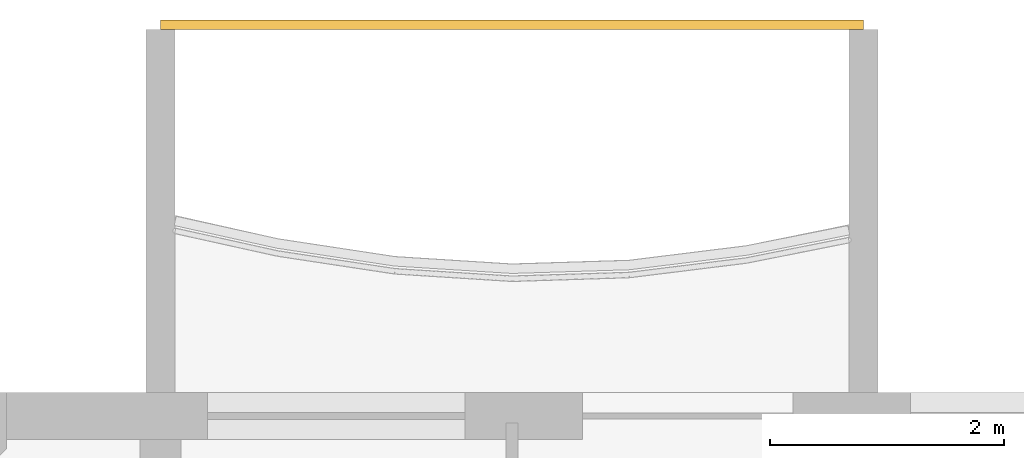
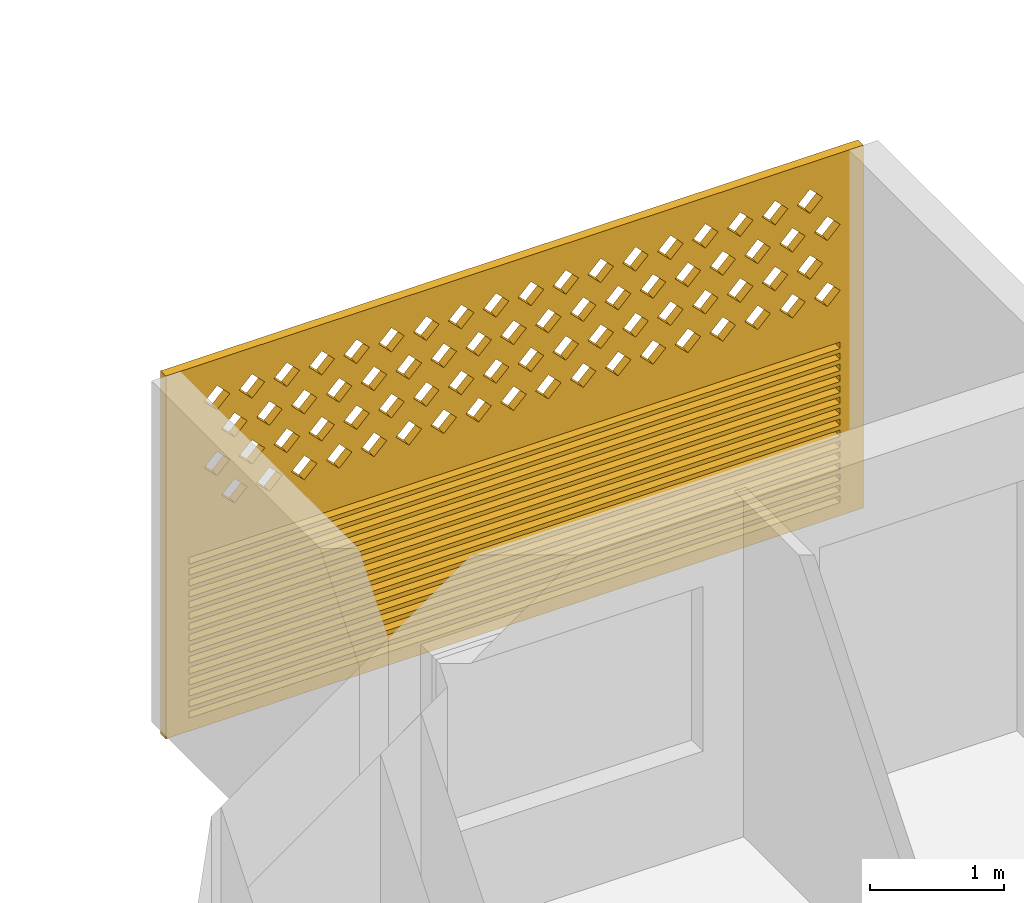
# One storey, part 19 of 26: 1 covering.
"""IFC4 building model written with IfcOpenShell, lengths in metres."""

from ifc_helpers import new_model, si_unit, direction, frame, origin, place, context, subcontext, project, spatial, polyline, outline, extrude, source, transform, mapped, material, material_profile, profile_set, type_object, element, save


model = new_model("IFC4")

# Units and contexts
model_context = context("Model", 3, precision=1e-05, world=origin(), true_north=direction((0.0, 1.0)))
body_context = subcontext(model_context, "Body", "Model", "MODEL_VIEW")
ifc_project = project(units=[si_unit("LENGTHUNIT", "METRE"), si_unit("AREAUNIT", "SQUARE_METRE"), si_unit("VOLUMEUNIT", "CUBIC_METRE"), si_unit("PLANEANGLEUNIT", "RADIAN"), si_unit("MASSUNIT", "GRAM", prefix="KILO")], contexts=[model_context])

# Site, building, storey
site_placement = place(None, origin())
site = spatial("IfcSite", under=ifc_project, at=site_placement, CompositionType="ELEMENT")
building_placement = place(site_placement, origin())
building = spatial("IfcBuilding", under=site, at=building_placement, Name="Poui Terraces", CompositionType="ELEMENT")
storey_placement = place(building_placement, frame((0.0, 0.0, 96.0)))
storey = spatial("IfcBuildingStorey", under=building, at=storey_placement, Name="L26", CompositionType="ELEMENT", Elevation=96.0)

# Covering
ifc_material = material(Name="Terracotta screen", Category="masonry")
ifc_material_profile = material_profile(ifc_material, outline(polyline([(-3.0, -1.64990234375), (3.0, -1.64990234375), (3.0, 1.64990234375), (-3.0, 1.64990234375), (-3.0, -1.64990234375)]), holes=[polyline([(-2.800048828125, 0.39990234375), (-2.68994140625, 0.2900390625), (-2.580078125, 0.39990234375), (-2.68994140625, 0.510009765625), (-2.800048828125, 0.39990234375)]), polyline([(-2.5, 0.39990234375), (-2.389892578125, 0.2900390625), (-2.280029296875, 0.39990234375), (-2.389892578125, 0.510009765625), (-2.5, 0.39990234375)]), polyline([(-2.199951171875, 0.39990234375), (-2.090087890625, 0.2900390625), (-1.97998046875, 0.39990234375), (-2.090087890625, 0.510009765625), (-2.199951171875, 0.39990234375)]), polyline([(-1.89990234375, 0.39990234375), (-1.7900390625, 0.2900390625), (-1.679931640625, 0.39990234375), (-1.7900390625, 0.510009765625), (-1.89990234375, 0.39990234375)]), polyline([(-1.60009765625, 0.39990234375), (-1.489990234375, 0.2900390625), (-1.3798828125, 0.39990234375), (-1.489990234375, 0.510009765625), (-1.60009765625, 0.39990234375)]), polyline([(-1.300048828125, 0.39990234375), (-1.18994140625, 0.2900390625), (-1.080078125, 0.39990234375), (-1.18994140625, 0.510009765625), (-1.300048828125, 0.39990234375)]), polyline([(-1.0, 0.39990234375), (-0.889892578125, 0.2900390625), (-0.780029296875, 0.39990234375), (-0.889892578125, 0.510009765625), (-1.0, 0.39990234375)]), polyline([(-0.699951171875, 0.39990234375), (-0.590087890625, 0.2900390625), (-0.47998046875, 0.39990234375), (-0.590087890625, 0.510009765625), (-0.699951171875, 0.39990234375)]), polyline([(-0.39990234375, 0.39990234375), (-0.2900390625, 0.2900390625), (-0.179931640625, 0.39990234375), (-0.2900390625, 0.510009765625), (-0.39990234375, 0.39990234375)]), polyline([(-0.10009765625, 0.39990234375), (0.010009765625, 0.2900390625), (0.1201171875, 0.39990234375), (0.010009765625, 0.510009765625), (-0.10009765625, 0.39990234375)]), polyline([(0.199951171875, 0.39990234375), (0.31005859375, 0.2900390625), (0.419921875, 0.39990234375), (0.31005859375, 0.510009765625), (0.199951171875, 0.39990234375)]), polyline([(0.5, 0.39990234375), (0.610107421875, 0.2900390625), (0.719970703125, 0.39990234375), (0.610107421875, 0.510009765625), (0.5, 0.39990234375)]), polyline([(0.800048828125, 0.39990234375), (0.909912109375, 0.2900390625), (1.02001953125, 0.39990234375), (0.909912109375, 0.510009765625), (0.800048828125, 0.39990234375)]), polyline([(1.10009765625, 0.39990234375), (1.2099609375, 0.2900390625), (1.320068359375, 0.39990234375), (1.2099609375, 0.510009765625), (1.10009765625, 0.39990234375)]), polyline([(1.39990234375, 0.39990234375), (1.510009765625, 0.2900390625), (1.6201171875, 0.39990234375), (1.510009765625, 0.510009765625), (1.39990234375, 0.39990234375)]), polyline([(1.699951171875, 0.39990234375), (1.81005859375, 0.2900390625), (1.919921875, 0.39990234375), (1.81005859375, 0.510009765625), (1.699951171875, 0.39990234375)]), polyline([(2.0, 0.39990234375), (2.110107421875, 0.2900390625), (2.219970703125, 0.39990234375), (2.110107421875, 0.510009765625), (2.0, 0.39990234375)]), polyline([(2.300048828125, 0.39990234375), (2.409912109375, 0.2900390625), (2.52001953125, 0.39990234375), (2.409912109375, 0.510009765625), (2.300048828125, 0.39990234375)]), polyline([(-2.64990234375, 0.699951171875), (-2.5400390625, 0.590087890625), (-2.429931640625, 0.699951171875), (-2.5400390625, 0.81005859375), (-2.64990234375, 0.699951171875)]), polyline([(-2.35009765625, 0.699951171875), (-2.239990234375, 0.590087890625), (-2.1298828125, 0.699951171875), (-2.239990234375, 0.81005859375), (-2.35009765625, 0.699951171875)]), polyline([(-2.050048828125, 0.699951171875), (-1.93994140625, 0.590087890625), (-1.830078125, 0.699951171875), (-1.93994140625, 0.81005859375), (-2.050048828125, 0.699951171875)]), polyline([(-1.75, 0.699951171875), (-1.639892578125, 0.590087890625), (-1.530029296875, 0.699951171875), (-1.639892578125, 0.81005859375), (-1.75, 0.699951171875)]), polyline([(-1.449951171875, 0.699951171875), (-1.340087890625, 0.590087890625), (-1.22998046875, 0.699951171875), (-1.340087890625, 0.81005859375), (-1.449951171875, 0.699951171875)]), polyline([(-1.14990234375, 0.699951171875), (-1.0400390625, 0.590087890625), (-0.929931640625, 0.699951171875), (-1.0400390625, 0.81005859375), (-1.14990234375, 0.699951171875)]), polyline([(-0.85009765625, 0.699951171875), (-0.739990234375, 0.590087890625), (-0.6298828125, 0.699951171875), (-0.739990234375, 0.81005859375), (-0.85009765625, 0.699951171875)]), polyline([(-0.550048828125, 0.699951171875), (-0.43994140625, 0.590087890625), (-0.330078125, 0.699951171875), (-0.43994140625, 0.81005859375), (-0.550048828125, 0.699951171875)]), polyline([(-0.25, 0.699951171875), (-0.139892578125, 0.590087890625), (-0.030029296875, 0.699951171875), (-0.139892578125, 0.81005859375), (-0.25, 0.699951171875)]), polyline([(0.050048828125, 0.699951171875), (0.159912109375, 0.590087890625), (0.27001953125, 0.699951171875), (0.159912109375, 0.81005859375), (0.050048828125, 0.699951171875)]), polyline([(0.35009765625, 0.699951171875), (0.4599609375, 0.590087890625), (0.570068359375, 0.699951171875), (0.4599609375, 0.81005859375), (0.35009765625, 0.699951171875)]), polyline([(0.64990234375, 0.699951171875), (0.760009765625, 0.590087890625), (0.8701171875, 0.699951171875), (0.760009765625, 0.81005859375), (0.64990234375, 0.699951171875)]), polyline([(0.949951171875, 0.699951171875), (1.06005859375, 0.590087890625), (1.169921875, 0.699951171875), (1.06005859375, 0.81005859375), (0.949951171875, 0.699951171875)]), polyline([(1.25, 0.699951171875), (1.360107421875, 0.590087890625), (1.469970703125, 0.699951171875), (1.360107421875, 0.81005859375), (1.25, 0.699951171875)]), polyline([(1.550048828125, 0.699951171875), (1.659912109375, 0.590087890625), (1.77001953125, 0.699951171875), (1.659912109375, 0.81005859375), (1.550048828125, 0.699951171875)]), polyline([(1.85009765625, 0.699951171875), (1.9599609375, 0.590087890625), (2.070068359375, 0.699951171875), (1.9599609375, 0.81005859375), (1.85009765625, 0.699951171875)]), polyline([(2.14990234375, 0.699951171875), (2.260009765625, 0.590087890625), (2.3701171875, 0.699951171875), (2.260009765625, 0.81005859375), (2.14990234375, 0.699951171875)]), polyline([(2.449951171875, 0.699951171875), (2.56005859375, 0.590087890625), (2.669921875, 0.699951171875), (2.56005859375, 0.81005859375), (2.449951171875, 0.699951171875)]), polyline([(-2.800048828125, 1.0), (-2.68994140625, 0.889892578125), (-2.580078125, 1.0), (-2.68994140625, 1.110107421875), (-2.800048828125, 1.0)]), polyline([(-2.5, 1.0), (-2.389892578125, 0.889892578125), (-2.280029296875, 1.0), (-2.389892578125, 1.110107421875), (-2.5, 1.0)]), polyline([(-2.199951171875, 1.0), (-2.090087890625, 0.889892578125), (-1.97998046875, 1.0), (-2.090087890625, 1.110107421875), (-2.199951171875, 1.0)]), polyline([(-1.89990234375, 1.0), (-1.7900390625, 0.889892578125), (-1.679931640625, 1.0), (-1.7900390625, 1.110107421875), (-1.89990234375, 1.0)]), polyline([(-1.60009765625, 1.0), (-1.489990234375, 0.889892578125), (-1.3798828125, 1.0), (-1.489990234375, 1.110107421875), (-1.60009765625, 1.0)]), polyline([(-1.300048828125, 1.0), (-1.18994140625, 0.889892578125), (-1.080078125, 1.0), (-1.18994140625, 1.110107421875), (-1.300048828125, 1.0)]), polyline([(-1.0, 1.0), (-0.889892578125, 0.889892578125), (-0.780029296875, 1.0), (-0.889892578125, 1.110107421875), (-1.0, 1.0)]), polyline([(-0.699951171875, 1.0), (-0.590087890625, 0.889892578125), (-0.47998046875, 1.0), (-0.590087890625, 1.110107421875), (-0.699951171875, 1.0)]), polyline([(-0.39990234375, 1.0), (-0.2900390625, 0.889892578125), (-0.179931640625, 1.0), (-0.2900390625, 1.110107421875), (-0.39990234375, 1.0)]), polyline([(-0.10009765625, 1.0), (0.010009765625, 0.889892578125), (0.1201171875, 1.0), (0.010009765625, 1.110107421875), (-0.10009765625, 1.0)]), polyline([(0.199951171875, 1.0), (0.31005859375, 0.889892578125), (0.419921875, 1.0), (0.31005859375, 1.110107421875), (0.199951171875, 1.0)]), polyline([(0.5, 1.0), (0.610107421875, 0.889892578125), (0.719970703125, 1.0), (0.610107421875, 1.110107421875), (0.5, 1.0)]), polyline([(0.800048828125, 1.0), (0.909912109375, 0.889892578125), (1.02001953125, 1.0), (0.909912109375, 1.110107421875), (0.800048828125, 1.0)]), polyline([(1.10009765625, 1.0), (1.2099609375, 0.889892578125), (1.320068359375, 1.0), (1.2099609375, 1.110107421875), (1.10009765625, 1.0)]), polyline([(1.39990234375, 1.0), (1.510009765625, 0.889892578125), (1.6201171875, 1.0), (1.510009765625, 1.110107421875), (1.39990234375, 1.0)]), polyline([(1.699951171875, 1.0), (1.81005859375, 0.889892578125), (1.919921875, 1.0), (1.81005859375, 1.110107421875), (1.699951171875, 1.0)]), polyline([(2.0, 1.0), (2.110107421875, 0.889892578125), (2.219970703125, 1.0), (2.110107421875, 1.110107421875), (2.0, 1.0)]), polyline([(2.300048828125, 1.0), (2.409912109375, 0.889892578125), (2.52001953125, 1.0), (2.409912109375, 1.110107421875), (2.300048828125, 1.0)]), polyline([(-2.64990234375, 1.300048828125), (-2.5400390625, 1.18994140625), (-2.429931640625, 1.300048828125), (-2.5400390625, 1.409912109375), (-2.64990234375, 1.300048828125)]), polyline([(-2.35009765625, 1.300048828125), (-2.239990234375, 1.18994140625), (-2.1298828125, 1.300048828125), (-2.239990234375, 1.409912109375), (-2.35009765625, 1.300048828125)]), polyline([(-2.050048828125, 1.300048828125), (-1.93994140625, 1.18994140625), (-1.830078125, 1.300048828125), (-1.93994140625, 1.409912109375), (-2.050048828125, 1.300048828125)]), polyline([(-1.75, 1.300048828125), (-1.639892578125, 1.18994140625), (-1.530029296875, 1.300048828125), (-1.639892578125, 1.409912109375), (-1.75, 1.300048828125)]), polyline([(-1.449951171875, 1.300048828125), (-1.340087890625, 1.18994140625), (-1.22998046875, 1.300048828125), (-1.340087890625, 1.409912109375), (-1.449951171875, 1.300048828125)]), polyline([(-1.14990234375, 1.300048828125), (-1.0400390625, 1.18994140625), (-0.929931640625, 1.300048828125), (-1.0400390625, 1.409912109375), (-1.14990234375, 1.300048828125)]), polyline([(-0.85009765625, 1.300048828125), (-0.739990234375, 1.18994140625), (-0.6298828125, 1.300048828125), (-0.739990234375, 1.409912109375), (-0.85009765625, 1.300048828125)]), polyline([(-0.550048828125, 1.300048828125), (-0.43994140625, 1.18994140625), (-0.330078125, 1.300048828125), (-0.43994140625, 1.409912109375), (-0.550048828125, 1.300048828125)]), polyline([(-0.25, 1.300048828125), (-0.139892578125, 1.18994140625), (-0.030029296875, 1.300048828125), (-0.139892578125, 1.409912109375), (-0.25, 1.300048828125)]), polyline([(0.050048828125, 1.300048828125), (0.159912109375, 1.18994140625), (0.27001953125, 1.300048828125), (0.159912109375, 1.409912109375), (0.050048828125, 1.300048828125)]), polyline([(0.35009765625, 1.300048828125), (0.4599609375, 1.18994140625), (0.570068359375, 1.300048828125), (0.4599609375, 1.409912109375), (0.35009765625, 1.300048828125)]), polyline([(0.64990234375, 1.300048828125), (0.760009765625, 1.18994140625), (0.8701171875, 1.300048828125), (0.760009765625, 1.409912109375), (0.64990234375, 1.300048828125)]), polyline([(0.949951171875, 1.300048828125), (1.06005859375, 1.18994140625), (1.169921875, 1.300048828125), (1.06005859375, 1.409912109375), (0.949951171875, 1.300048828125)]), polyline([(1.25, 1.300048828125), (1.360107421875, 1.18994140625), (1.469970703125, 1.300048828125), (1.360107421875, 1.409912109375), (1.25, 1.300048828125)]), polyline([(1.550048828125, 1.300048828125), (1.659912109375, 1.18994140625), (1.77001953125, 1.300048828125), (1.659912109375, 1.409912109375), (1.550048828125, 1.300048828125)]), polyline([(1.85009765625, 1.300048828125), (1.9599609375, 1.18994140625), (2.070068359375, 1.300048828125), (1.9599609375, 1.409912109375), (1.85009765625, 1.300048828125)]), polyline([(2.14990234375, 1.300048828125), (2.260009765625, 1.18994140625), (2.3701171875, 1.300048828125), (2.260009765625, 1.409912109375), (2.14990234375, 1.300048828125)]), polyline([(2.449951171875, 1.300048828125), (2.56005859375, 1.18994140625), (2.669921875, 1.300048828125), (2.56005859375, 1.409912109375), (2.449951171875, 1.300048828125)]), polyline([(-2.800048828125, -1.530029296875), (2.800048828125, -1.530029296875), (2.800048828125, -1.469970703125), (-2.800048828125, -1.469970703125), (-2.800048828125, -1.530029296875)]), polyline([(-2.800048828125, -1.429931640625), (2.800048828125, -1.429931640625), (2.800048828125, -1.3701171875), (-2.800048828125, -1.3701171875), (-2.800048828125, -1.429931640625)]), polyline([(-2.800048828125, -1.330078125), (2.800048828125, -1.330078125), (2.800048828125, -1.27001953125), (-2.800048828125, -1.27001953125), (-2.800048828125, -1.330078125)]), polyline([(-2.800048828125, -1.22998046875), (2.800048828125, -1.22998046875), (2.800048828125, -1.169921875), (-2.800048828125, -1.169921875), (-2.800048828125, -1.22998046875)]), polyline([(-2.800048828125, -1.1298828125), (2.800048828125, -1.1298828125), (2.800048828125, -1.070068359375), (-2.800048828125, -1.070068359375), (-2.800048828125, -1.1298828125)]), polyline([(-2.800048828125, -1.030029296875), (2.800048828125, -1.030029296875), (2.800048828125, -0.969970703125), (-2.800048828125, -0.969970703125), (-2.800048828125, -1.030029296875)]), polyline([(-2.800048828125, -0.929931640625), (2.800048828125, -0.929931640625), (2.800048828125, -0.8701171875), (-2.800048828125, -0.8701171875), (-2.800048828125, -0.929931640625)]), polyline([(-2.800048828125, -0.830078125), (2.800048828125, -0.830078125), (2.800048828125, -0.77001953125), (-2.800048828125, -0.77001953125), (-2.800048828125, -0.830078125)]), polyline([(-2.800048828125, -0.72998046875), (2.800048828125, -0.72998046875), (2.800048828125, -0.669921875), (-2.800048828125, -0.669921875), (-2.800048828125, -0.72998046875)]), polyline([(-2.800048828125, -0.6298828125), (2.800048828125, -0.6298828125), (2.800048828125, -0.570068359375), (-2.800048828125, -0.570068359375), (-2.800048828125, -0.6298828125)]), polyline([(-2.800048828125, -0.530029296875), (2.800048828125, -0.530029296875), (2.800048828125, -0.469970703125), (-2.800048828125, -0.469970703125), (-2.800048828125, -0.530029296875)]), polyline([(-2.800048828125, -0.429931640625), (2.800048828125, -0.429931640625), (2.800048828125, -0.3701171875), (-2.800048828125, -0.3701171875), (-2.800048828125, -0.429931640625)]), polyline([(-2.800048828125, -0.330078125), (2.800048828125, -0.330078125), (2.800048828125, -0.27001953125), (-2.800048828125, -0.27001953125), (-2.800048828125, -0.330078125)]), polyline([(-2.800048828125, -0.22998046875), (2.800048828125, -0.22998046875), (2.800048828125, -0.169921875), (-2.800048828125, -0.169921875), (-2.800048828125, -0.22998046875)]), polyline([(-2.800048828125, -0.1298828125), (2.800048828125, -0.1298828125), (2.800048828125, -0.070068359375), (-2.800048828125, -0.070068359375), (-2.800048828125, -0.1298828125)])]), Name="TERRACOTTA SCREEN AND JALOUSIE LOUVRE 6000X3300")
ifc_profile_set = profile_set([ifc_material_profile], Name="Terracotta screen")
covering_type = type_object("IfcCoveringType", Name="TERRACOTTA SCREEN AND JALOUSIE LOUVRE 6000X3300", PredefinedType="CLADDING", material=ifc_profile_set)
shared_shape = source(origin(), body_context, "Body", "SweptSolid", [
    extrude(outline(polyline([(-3.0, -1.64990234375), (3.0, -1.64990234375), (3.0, 1.64990234375), (-3.0, 1.64990234375), (-3.0, -1.64990234375)]), holes=[polyline([(-2.800048828125, 0.39990234375), (-2.68994140625, 0.2900390625), (-2.580078125, 0.39990234375), (-2.68994140625, 0.510009765625), (-2.800048828125, 0.39990234375)]), polyline([(-2.5, 0.39990234375), (-2.389892578125, 0.2900390625), (-2.280029296875, 0.39990234375), (-2.389892578125, 0.510009765625), (-2.5, 0.39990234375)]), polyline([(-2.199951171875, 0.39990234375), (-2.090087890625, 0.2900390625), (-1.97998046875, 0.39990234375), (-2.090087890625, 0.510009765625), (-2.199951171875, 0.39990234375)]), polyline([(-1.89990234375, 0.39990234375), (-1.7900390625, 0.2900390625), (-1.679931640625, 0.39990234375), (-1.7900390625, 0.510009765625), (-1.89990234375, 0.39990234375)]), polyline([(-1.60009765625, 0.39990234375), (-1.489990234375, 0.2900390625), (-1.3798828125, 0.39990234375), (-1.489990234375, 0.510009765625), (-1.60009765625, 0.39990234375)]), polyline([(-1.300048828125, 0.39990234375), (-1.18994140625, 0.2900390625), (-1.080078125, 0.39990234375), (-1.18994140625, 0.510009765625), (-1.300048828125, 0.39990234375)]), polyline([(-1.0, 0.39990234375), (-0.889892578125, 0.2900390625), (-0.780029296875, 0.39990234375), (-0.889892578125, 0.510009765625), (-1.0, 0.39990234375)]), polyline([(-0.699951171875, 0.39990234375), (-0.590087890625, 0.2900390625), (-0.47998046875, 0.39990234375), (-0.590087890625, 0.510009765625), (-0.699951171875, 0.39990234375)]), polyline([(-0.39990234375, 0.39990234375), (-0.2900390625, 0.2900390625), (-0.179931640625, 0.39990234375), (-0.2900390625, 0.510009765625), (-0.39990234375, 0.39990234375)]), polyline([(-0.10009765625, 0.39990234375), (0.010009765625, 0.2900390625), (0.1201171875, 0.39990234375), (0.010009765625, 0.510009765625), (-0.10009765625, 0.39990234375)]), polyline([(0.199951171875, 0.39990234375), (0.31005859375, 0.2900390625), (0.419921875, 0.39990234375), (0.31005859375, 0.510009765625), (0.199951171875, 0.39990234375)]), polyline([(0.5, 0.39990234375), (0.610107421875, 0.2900390625), (0.719970703125, 0.39990234375), (0.610107421875, 0.510009765625), (0.5, 0.39990234375)]), polyline([(0.800048828125, 0.39990234375), (0.909912109375, 0.2900390625), (1.02001953125, 0.39990234375), (0.909912109375, 0.510009765625), (0.800048828125, 0.39990234375)]), polyline([(1.10009765625, 0.39990234375), (1.2099609375, 0.2900390625), (1.320068359375, 0.39990234375), (1.2099609375, 0.510009765625), (1.10009765625, 0.39990234375)]), polyline([(1.39990234375, 0.39990234375), (1.510009765625, 0.2900390625), (1.6201171875, 0.39990234375), (1.510009765625, 0.510009765625), (1.39990234375, 0.39990234375)]), polyline([(1.699951171875, 0.39990234375), (1.81005859375, 0.2900390625), (1.919921875, 0.39990234375), (1.81005859375, 0.510009765625), (1.699951171875, 0.39990234375)]), polyline([(2.0, 0.39990234375), (2.110107421875, 0.2900390625), (2.219970703125, 0.39990234375), (2.110107421875, 0.510009765625), (2.0, 0.39990234375)]), polyline([(2.300048828125, 0.39990234375), (2.409912109375, 0.2900390625), (2.52001953125, 0.39990234375), (2.409912109375, 0.510009765625), (2.300048828125, 0.39990234375)]), polyline([(-2.64990234375, 0.699951171875), (-2.5400390625, 0.590087890625), (-2.429931640625, 0.699951171875), (-2.5400390625, 0.81005859375), (-2.64990234375, 0.699951171875)]), polyline([(-2.35009765625, 0.699951171875), (-2.239990234375, 0.590087890625), (-2.1298828125, 0.699951171875), (-2.239990234375, 0.81005859375), (-2.35009765625, 0.699951171875)]), polyline([(-2.050048828125, 0.699951171875), (-1.93994140625, 0.590087890625), (-1.830078125, 0.699951171875), (-1.93994140625, 0.81005859375), (-2.050048828125, 0.699951171875)]), polyline([(-1.75, 0.699951171875), (-1.639892578125, 0.590087890625), (-1.530029296875, 0.699951171875), (-1.639892578125, 0.81005859375), (-1.75, 0.699951171875)]), polyline([(-1.449951171875, 0.699951171875), (-1.340087890625, 0.590087890625), (-1.22998046875, 0.699951171875), (-1.340087890625, 0.81005859375), (-1.449951171875, 0.699951171875)]), polyline([(-1.14990234375, 0.699951171875), (-1.0400390625, 0.590087890625), (-0.929931640625, 0.699951171875), (-1.0400390625, 0.81005859375), (-1.14990234375, 0.699951171875)]), polyline([(-0.85009765625, 0.699951171875), (-0.739990234375, 0.590087890625), (-0.6298828125, 0.699951171875), (-0.739990234375, 0.81005859375), (-0.85009765625, 0.699951171875)]), polyline([(-0.550048828125, 0.699951171875), (-0.43994140625, 0.590087890625), (-0.330078125, 0.699951171875), (-0.43994140625, 0.81005859375), (-0.550048828125, 0.699951171875)]), polyline([(-0.25, 0.699951171875), (-0.139892578125, 0.590087890625), (-0.030029296875, 0.699951171875), (-0.139892578125, 0.81005859375), (-0.25, 0.699951171875)]), polyline([(0.050048828125, 0.699951171875), (0.159912109375, 0.590087890625), (0.27001953125, 0.699951171875), (0.159912109375, 0.81005859375), (0.050048828125, 0.699951171875)]), polyline([(0.35009765625, 0.699951171875), (0.4599609375, 0.590087890625), (0.570068359375, 0.699951171875), (0.4599609375, 0.81005859375), (0.35009765625, 0.699951171875)]), polyline([(0.64990234375, 0.699951171875), (0.760009765625, 0.590087890625), (0.8701171875, 0.699951171875), (0.760009765625, 0.81005859375), (0.64990234375, 0.699951171875)]), polyline([(0.949951171875, 0.699951171875), (1.06005859375, 0.590087890625), (1.169921875, 0.699951171875), (1.06005859375, 0.81005859375), (0.949951171875, 0.699951171875)]), polyline([(1.25, 0.699951171875), (1.360107421875, 0.590087890625), (1.469970703125, 0.699951171875), (1.360107421875, 0.81005859375), (1.25, 0.699951171875)]), polyline([(1.550048828125, 0.699951171875), (1.659912109375, 0.590087890625), (1.77001953125, 0.699951171875), (1.659912109375, 0.81005859375), (1.550048828125, 0.699951171875)]), polyline([(1.85009765625, 0.699951171875), (1.9599609375, 0.590087890625), (2.070068359375, 0.699951171875), (1.9599609375, 0.81005859375), (1.85009765625, 0.699951171875)]), polyline([(2.14990234375, 0.699951171875), (2.260009765625, 0.590087890625), (2.3701171875, 0.699951171875), (2.260009765625, 0.81005859375), (2.14990234375, 0.699951171875)]), polyline([(2.449951171875, 0.699951171875), (2.56005859375, 0.590087890625), (2.669921875, 0.699951171875), (2.56005859375, 0.81005859375), (2.449951171875, 0.699951171875)]), polyline([(-2.800048828125, 1.0), (-2.68994140625, 0.889892578125), (-2.580078125, 1.0), (-2.68994140625, 1.110107421875), (-2.800048828125, 1.0)]), polyline([(-2.5, 1.0), (-2.389892578125, 0.889892578125), (-2.280029296875, 1.0), (-2.389892578125, 1.110107421875), (-2.5, 1.0)]), polyline([(-2.199951171875, 1.0), (-2.090087890625, 0.889892578125), (-1.97998046875, 1.0), (-2.090087890625, 1.110107421875), (-2.199951171875, 1.0)]), polyline([(-1.89990234375, 1.0), (-1.7900390625, 0.889892578125), (-1.679931640625, 1.0), (-1.7900390625, 1.110107421875), (-1.89990234375, 1.0)]), polyline([(-1.60009765625, 1.0), (-1.489990234375, 0.889892578125), (-1.3798828125, 1.0), (-1.489990234375, 1.110107421875), (-1.60009765625, 1.0)]), polyline([(-1.300048828125, 1.0), (-1.18994140625, 0.889892578125), (-1.080078125, 1.0), (-1.18994140625, 1.110107421875), (-1.300048828125, 1.0)]), polyline([(-1.0, 1.0), (-0.889892578125, 0.889892578125), (-0.780029296875, 1.0), (-0.889892578125, 1.110107421875), (-1.0, 1.0)]), polyline([(-0.699951171875, 1.0), (-0.590087890625, 0.889892578125), (-0.47998046875, 1.0), (-0.590087890625, 1.110107421875), (-0.699951171875, 1.0)]), polyline([(-0.39990234375, 1.0), (-0.2900390625, 0.889892578125), (-0.179931640625, 1.0), (-0.2900390625, 1.110107421875), (-0.39990234375, 1.0)]), polyline([(-0.10009765625, 1.0), (0.010009765625, 0.889892578125), (0.1201171875, 1.0), (0.010009765625, 1.110107421875), (-0.10009765625, 1.0)]), polyline([(0.199951171875, 1.0), (0.31005859375, 0.889892578125), (0.419921875, 1.0), (0.31005859375, 1.110107421875), (0.199951171875, 1.0)]), polyline([(0.5, 1.0), (0.610107421875, 0.889892578125), (0.719970703125, 1.0), (0.610107421875, 1.110107421875), (0.5, 1.0)]), polyline([(0.800048828125, 1.0), (0.909912109375, 0.889892578125), (1.02001953125, 1.0), (0.909912109375, 1.110107421875), (0.800048828125, 1.0)]), polyline([(1.10009765625, 1.0), (1.2099609375, 0.889892578125), (1.320068359375, 1.0), (1.2099609375, 1.110107421875), (1.10009765625, 1.0)]), polyline([(1.39990234375, 1.0), (1.510009765625, 0.889892578125), (1.6201171875, 1.0), (1.510009765625, 1.110107421875), (1.39990234375, 1.0)]), polyline([(1.699951171875, 1.0), (1.81005859375, 0.889892578125), (1.919921875, 1.0), (1.81005859375, 1.110107421875), (1.699951171875, 1.0)]), polyline([(2.0, 1.0), (2.110107421875, 0.889892578125), (2.219970703125, 1.0), (2.110107421875, 1.110107421875), (2.0, 1.0)]), polyline([(2.300048828125, 1.0), (2.409912109375, 0.889892578125), (2.52001953125, 1.0), (2.409912109375, 1.110107421875), (2.300048828125, 1.0)]), polyline([(-2.64990234375, 1.300048828125), (-2.5400390625, 1.18994140625), (-2.429931640625, 1.300048828125), (-2.5400390625, 1.409912109375), (-2.64990234375, 1.300048828125)]), polyline([(-2.35009765625, 1.300048828125), (-2.239990234375, 1.18994140625), (-2.1298828125, 1.300048828125), (-2.239990234375, 1.409912109375), (-2.35009765625, 1.300048828125)]), polyline([(-2.050048828125, 1.300048828125), (-1.93994140625, 1.18994140625), (-1.830078125, 1.300048828125), (-1.93994140625, 1.409912109375), (-2.050048828125, 1.300048828125)]), polyline([(-1.75, 1.300048828125), (-1.639892578125, 1.18994140625), (-1.530029296875, 1.300048828125), (-1.639892578125, 1.409912109375), (-1.75, 1.300048828125)]), polyline([(-1.449951171875, 1.300048828125), (-1.340087890625, 1.18994140625), (-1.22998046875, 1.300048828125), (-1.340087890625, 1.409912109375), (-1.449951171875, 1.300048828125)]), polyline([(-1.14990234375, 1.300048828125), (-1.0400390625, 1.18994140625), (-0.929931640625, 1.300048828125), (-1.0400390625, 1.409912109375), (-1.14990234375, 1.300048828125)]), polyline([(-0.85009765625, 1.300048828125), (-0.739990234375, 1.18994140625), (-0.6298828125, 1.300048828125), (-0.739990234375, 1.409912109375), (-0.85009765625, 1.300048828125)]), polyline([(-0.550048828125, 1.300048828125), (-0.43994140625, 1.18994140625), (-0.330078125, 1.300048828125), (-0.43994140625, 1.409912109375), (-0.550048828125, 1.300048828125)]), polyline([(-0.25, 1.300048828125), (-0.139892578125, 1.18994140625), (-0.030029296875, 1.300048828125), (-0.139892578125, 1.409912109375), (-0.25, 1.300048828125)]), polyline([(0.050048828125, 1.300048828125), (0.159912109375, 1.18994140625), (0.27001953125, 1.300048828125), (0.159912109375, 1.409912109375), (0.050048828125, 1.300048828125)]), polyline([(0.35009765625, 1.300048828125), (0.4599609375, 1.18994140625), (0.570068359375, 1.300048828125), (0.4599609375, 1.409912109375), (0.35009765625, 1.300048828125)]), polyline([(0.64990234375, 1.300048828125), (0.760009765625, 1.18994140625), (0.8701171875, 1.300048828125), (0.760009765625, 1.409912109375), (0.64990234375, 1.300048828125)]), polyline([(0.949951171875, 1.300048828125), (1.06005859375, 1.18994140625), (1.169921875, 1.300048828125), (1.06005859375, 1.409912109375), (0.949951171875, 1.300048828125)]), polyline([(1.25, 1.300048828125), (1.360107421875, 1.18994140625), (1.469970703125, 1.300048828125), (1.360107421875, 1.409912109375), (1.25, 1.300048828125)]), polyline([(1.550048828125, 1.300048828125), (1.659912109375, 1.18994140625), (1.77001953125, 1.300048828125), (1.659912109375, 1.409912109375), (1.550048828125, 1.300048828125)]), polyline([(1.85009765625, 1.300048828125), (1.9599609375, 1.18994140625), (2.070068359375, 1.300048828125), (1.9599609375, 1.409912109375), (1.85009765625, 1.300048828125)]), polyline([(2.14990234375, 1.300048828125), (2.260009765625, 1.18994140625), (2.3701171875, 1.300048828125), (2.260009765625, 1.409912109375), (2.14990234375, 1.300048828125)]), polyline([(2.449951171875, 1.300048828125), (2.56005859375, 1.18994140625), (2.669921875, 1.300048828125), (2.56005859375, 1.409912109375), (2.449951171875, 1.300048828125)]), polyline([(-2.800048828125, -1.530029296875), (2.800048828125, -1.530029296875), (2.800048828125, -1.469970703125), (-2.800048828125, -1.469970703125), (-2.800048828125, -1.530029296875)]), polyline([(-2.800048828125, -1.429931640625), (2.800048828125, -1.429931640625), (2.800048828125, -1.3701171875), (-2.800048828125, -1.3701171875), (-2.800048828125, -1.429931640625)]), polyline([(-2.800048828125, -1.330078125), (2.800048828125, -1.330078125), (2.800048828125, -1.27001953125), (-2.800048828125, -1.27001953125), (-2.800048828125, -1.330078125)]), polyline([(-2.800048828125, -1.22998046875), (2.800048828125, -1.22998046875), (2.800048828125, -1.169921875), (-2.800048828125, -1.169921875), (-2.800048828125, -1.22998046875)]), polyline([(-2.800048828125, -1.1298828125), (2.800048828125, -1.1298828125), (2.800048828125, -1.070068359375), (-2.800048828125, -1.070068359375), (-2.800048828125, -1.1298828125)]), polyline([(-2.800048828125, -1.030029296875), (2.800048828125, -1.030029296875), (2.800048828125, -0.969970703125), (-2.800048828125, -0.969970703125), (-2.800048828125, -1.030029296875)]), polyline([(-2.800048828125, -0.929931640625), (2.800048828125, -0.929931640625), (2.800048828125, -0.8701171875), (-2.800048828125, -0.8701171875), (-2.800048828125, -0.929931640625)]), polyline([(-2.800048828125, -0.830078125), (2.800048828125, -0.830078125), (2.800048828125, -0.77001953125), (-2.800048828125, -0.77001953125), (-2.800048828125, -0.830078125)]), polyline([(-2.800048828125, -0.72998046875), (2.800048828125, -0.72998046875), (2.800048828125, -0.669921875), (-2.800048828125, -0.669921875), (-2.800048828125, -0.72998046875)]), polyline([(-2.800048828125, -0.6298828125), (2.800048828125, -0.6298828125), (2.800048828125, -0.570068359375), (-2.800048828125, -0.570068359375), (-2.800048828125, -0.6298828125)]), polyline([(-2.800048828125, -0.530029296875), (2.800048828125, -0.530029296875), (2.800048828125, -0.469970703125), (-2.800048828125, -0.469970703125), (-2.800048828125, -0.530029296875)]), polyline([(-2.800048828125, -0.429931640625), (2.800048828125, -0.429931640625), (2.800048828125, -0.3701171875), (-2.800048828125, -0.3701171875), (-2.800048828125, -0.429931640625)]), polyline([(-2.800048828125, -0.330078125), (2.800048828125, -0.330078125), (2.800048828125, -0.27001953125), (-2.800048828125, -0.27001953125), (-2.800048828125, -0.330078125)]), polyline([(-2.800048828125, -0.22998046875), (2.800048828125, -0.22998046875), (2.800048828125, -0.169921875), (-2.800048828125, -0.169921875), (-2.800048828125, -0.22998046875)]), polyline([(-2.800048828125, -0.1298828125), (2.800048828125, -0.1298828125), (2.800048828125, -0.070068359375), (-2.800048828125, -0.070068359375), (-2.800048828125, -0.1298828125)])]), origin(), (0.0, 0.0, 1.0), 0.080078125),
])
covering_placement = place(storey_placement, frame((15.0, 46.89990234375, 1.449951171875), z_axis=(0.0, 1.0, 0.0), x_axis=(-1.0, 0.0, 0.0)))
element("IfcCovering", 1, at=covering_placement, inside=storey, type_object=covering_type, Name="SOLAR SCREEN AND JALOUSIE LOUVRE", PredefinedType="CLADDING", context=body_context, shape_type="MappedRepresentation", body=[
    mapped(shared_shape, transform((0.0, 0.0, 0.0))),
])

save(model, "model.ifc")
